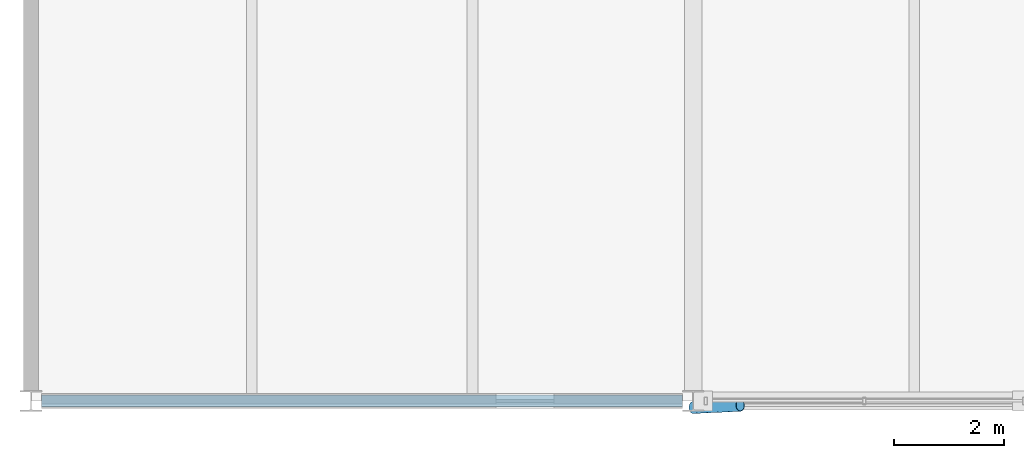
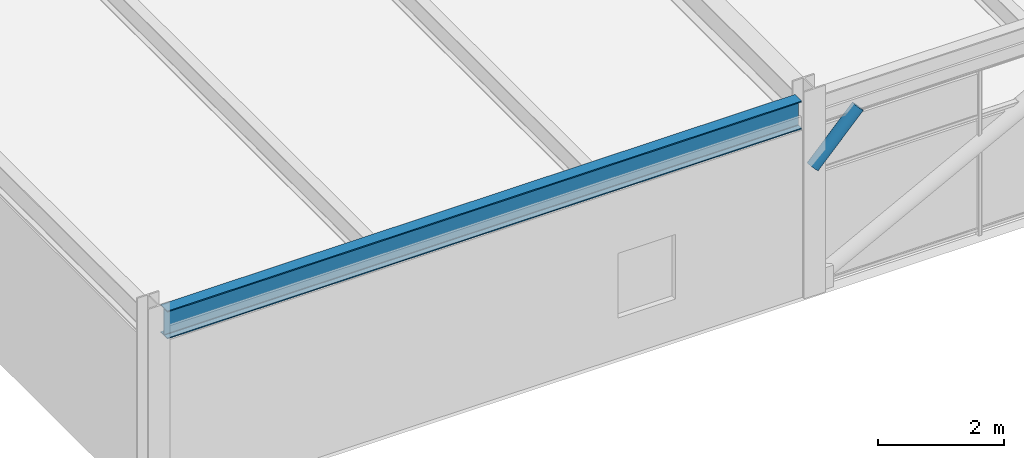
# One storey, part 7 of 52: 1 beam, 1 member.
"""IFC4 building model written with IfcOpenShell, lengths in metres."""

from ifc_helpers import new_model, si_unit, direction, frame, origin, origin_2d, place, context, subcontext, project, spatial, hollow_circle, i_section, extrude, material, material_profile, profile_set, type_object, element, save


model = new_model("IFC4")

# Units and contexts
model_context = context("Model", 3, precision=1e-05, world=origin(), true_north=direction((0.0, 1.0)))
body_context = subcontext(model_context, "Body", "Model", "MODEL_VIEW")
ifc_project = project(units=[si_unit("LENGTHUNIT", "METRE"), si_unit("AREAUNIT", "SQUARE_METRE"), si_unit("VOLUMEUNIT", "CUBIC_METRE"), si_unit("PLANEANGLEUNIT", "RADIAN"), si_unit("MASSUNIT", "GRAM", prefix="KILO")], contexts=[model_context])

# Site, building, storey
site_placement = place(None, origin())
site = spatial("IfcSite", under=ifc_project, at=site_placement, CompositionType="ELEMENT")
building_placement = place(site_placement, origin())
building = spatial("IfcBuilding", under=site, at=building_placement, Name="Girod Span Mobility Hub", CompositionType="ELEMENT")
storey_placement = place(building_placement, frame((0.0, 0.0, 45.60009765625)))
storey = spatial("IfcBuildingStorey", under=building, at=storey_placement, Name="L11", CompositionType="ELEMENT", Elevation=45.60009765625)

# Beam
ifc_material_1 = material(Name="Steel A992 Grade 50", Category="steel")
ifc_material_profile_1 = material_profile(ifc_material_1, i_section(OverallWidth=0.2119140625, OverallDepth=0.5439453125, WebThickness=0.01318359375, FlangeThickness=0.021240234375, FilletRadius=0.014892578125, at=origin_2d()), Name="W21X83")
ifc_profile_set_1 = profile_set([ifc_material_profile_1], Name="Steel A992 Grade 50")
beam_type = type_object("IfcBeamType", Name="BM-STL-W21X83", PredefinedType="SPANDREL", material=ifc_profile_set_1)
beam_placement = place(storey_placement, frame((24.194091796875, 27.0, 3.5078125), z_axis=(1.0, 0.0, 0.0), x_axis=(0.0, 1.0, 0.0)))
element("IfcBeam", 1, at=beam_placement, inside=storey, type_object=beam_type, Name="Girder 3-4/C L11", PredefinedType="SPANDREL", context=body_context, shape_type="SweptSolid", body=[
    extrude(i_section(OverallWidth=0.2119140625, OverallDepth=0.5439453125, WebThickness=0.01318359375, FlangeThickness=0.021240234375, FilletRadius=0.014892578125, at=origin_2d()), origin(), (0.0, 0.0, 1.0), 11.61181640625),
])

# Member
ifc_material_2 = material(Name="Steel HSS A500 Grade C", Category="steel")
ifc_material_profile_2 = material_profile(ifc_material_2, hollow_circle(Radius=0.109619140625, WallThickness=0.0087890625, at=origin_2d()), Name="HSS219X9.5")
ifc_profile_set_2 = profile_set([ifc_material_profile_2], Name="Steel HSS A500 Grade C")
member_type = type_object("IfcMemberType", Name="MB-ST-HSS219", PredefinedType="STRUT", material=ifc_profile_set_2)
member_placement = place(storey_placement, frame((36.0, 26.8798828125, 2.449951171875), z_axis=(0.706816330442, 0.033290602583, 0.706613338963), x_axis=(-0.047047213483, 0.998892666758, 0.0)))
element("IfcMember", 2, at=member_placement, inside=storey, type_object=member_type, Name="Solar Shading Knee Strut 4 L11", PredefinedType="STRUT", context=body_context, shape_type="SweptSolid", body=[
    extrude(hollow_circle(Radius=0.109619140625, WallThickness=0.0087890625, at=origin_2d()), origin(), (0.0, 0.0, 1.0), 1.20263671875),
])

save(model, "model.ifc")
